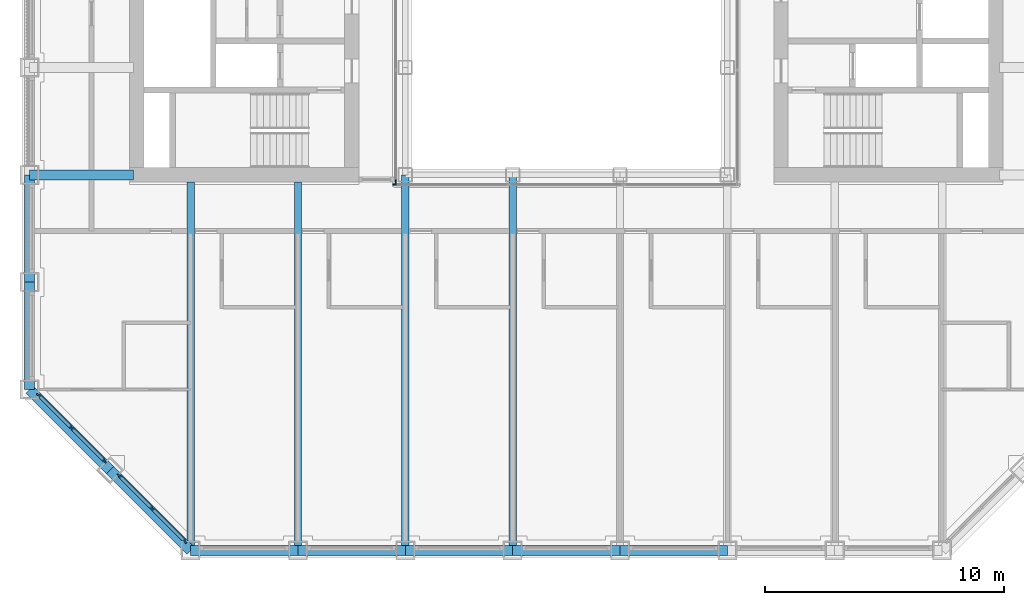
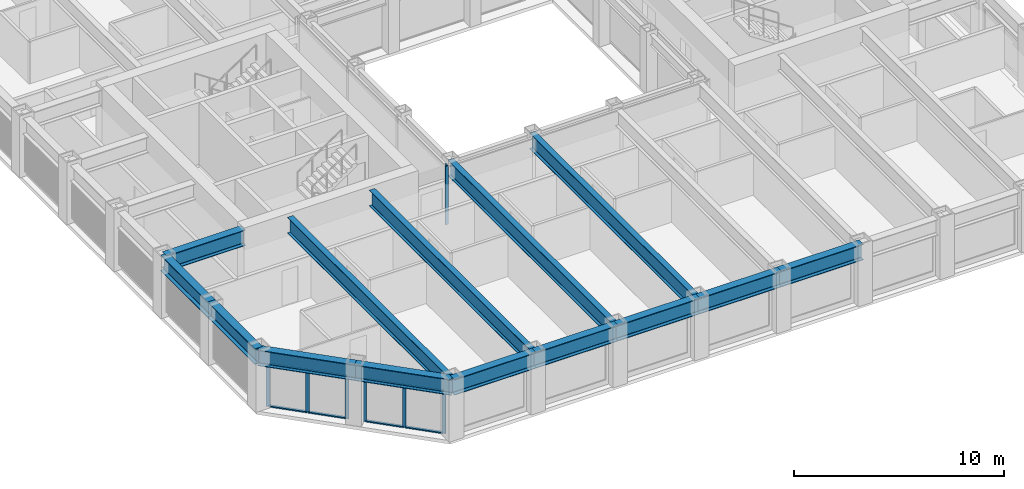
# One storey, part 2 of 18: 16 members, 14 beams, 4 elements without a shape of their own.
"""IFC4 building model written with IfcOpenShell, lengths in metres."""

import ifcopenshell
import ifcopenshell.guid

model = None  # the IFC model being written
_history = None  # IfcOwnerHistory: only IFC2X3 demands one
_inside = {}  # id of a spatial element -> (the spatial element, [elements in it])
_under = {}  # id of a project, library or spatial element -> (it, [spatial elements below it])
_declared = {}  # id of a project -> (the project, [libraries it declares])
_typed = {}  # id of a type object -> (the type object, [elements of that type])
_made_of = {}  # id of a material, layer set ... -> (it, [elements and type objects made of it])


def new_model(schema):
    """Start an empty IFC model of exactly this schema.

    Asked for "IFC4X3", IfcOpenShell would pick the latest addendum, in which some entities
    have other attributes; the version numbers below select the first issue.
    IFC2X3 requires an IfcOwnerHistory on every rooted entity: one is made here for all.
    """
    global model, _history
    if schema == "IFC4X3":
        model = ifcopenshell.file(schema_version=(4, 3, 0, 0))
    else:
        model = ifcopenshell.file(schema=schema)
    _inside.clear()
    _under.clear()
    _declared.clear()
    _typed.clear()
    _made_of.clear()
    _history = None
    if model.schema == "IFC2X3":
        org = make("IfcOrganization", Name="unknown")
        user = make(
            "IfcPersonAndOrganization",
            ThePerson=make("IfcPerson", FamilyName="unknown"),
            TheOrganization=org,
        )
        app = make(
            "IfcApplication",
            ApplicationDeveloper=org,
            Version="unknown",
            ApplicationFullName="unknown",
            ApplicationIdentifier="unknown",
        )
        _history = make(
            "IfcOwnerHistory",
            OwningUser=user,
            OwningApplication=app,
            ChangeAction="ADDED",
            CreationDate=0,
        )
    return model


def make(cls, **values):
    """One entity of the class cls with the attributes given. An attribute that is None is left unset."""
    return model.create_entity(
        cls, **{name: value for name, value in values.items() if value is not None}
    )


def rooted(cls, **values):
    """An entity with a GlobalId (a new one), such as an element, a storey or a relation."""
    return make(cls, GlobalId=ifcopenshell.guid.new(), OwnerHistory=_history, **values)


def si_unit(unit_type, name, prefix=None):
    """IfcSIUnit, for example si_unit("LENGTHUNIT", "METRE", prefix="MILLI")."""
    return make("IfcSIUnit", UnitType=unit_type, Prefix=prefix, Name=name)


def assignment(units):
    """IfcUnitAssignment: the units of a project."""
    return None if units is None else make("IfcUnitAssignment", Units=units)


def point(xyz):
    """IfcCartesianPoint."""
    return None if xyz is None else make("IfcCartesianPoint", Coordinates=xyz)


def direction(xyz):
    """IfcDirection."""
    return None if xyz is None else make("IfcDirection", DirectionRatios=xyz)


def frame(location, z_axis=None, x_axis=None):
    """IfcAxis2Placement3D, a coordinate frame: its origin and axes. An axis left out is left unset."""
    return make(
        "IfcAxis2Placement3D",
        Location=point(location),
        Axis=direction(z_axis),
        RefDirection=direction(x_axis),
    )


def frame_2d(location, x_axis=None):
    """IfcAxis2Placement2D, a coordinate frame in the plane: its origin and x axis."""
    return make(
        "IfcAxis2Placement2D", Location=point(location), RefDirection=direction(x_axis)
    )


def origin():
    """The frame at (0, 0, 0) with its axes left unset."""
    return frame((0.0, 0.0, 0.0))


def origin_2d():
    """The frame at (0, 0) in the plane with its x axis left unset."""
    return frame_2d((0.0, 0.0))


def place(relative_to, where):
    """IfcLocalPlacement: puts the frame where relative to a parent placement (None: the world)."""
    return make(
        "IfcLocalPlacement", PlacementRelTo=relative_to, RelativePlacement=where
    )


def context(
    kind, dimensions, precision=None, world=None, true_north=None, identifier=None
):
    """IfcGeometricRepresentationContext, for example the 3D "Model" context."""
    return make(
        "IfcGeometricRepresentationContext",
        ContextIdentifier=identifier,
        ContextType=kind,
        CoordinateSpaceDimension=dimensions,
        Precision=precision,
        WorldCoordinateSystem=world,
        TrueNorth=true_north,
    )


def subcontext(parent, identifier, kind, view, scale=None):
    """IfcGeometricRepresentationSubContext, for example "Body" below "Model"."""
    return make(
        "IfcGeometricRepresentationSubContext",
        ContextIdentifier=identifier,
        ContextType=kind,
        ParentContext=parent,
        TargetScale=scale,
        TargetView=view,
    )


def project(units=None, contexts=None):
    """IfcProject with its units and contexts."""
    return rooted(
        "IfcProject",
        Name="project",
        RepresentationContexts=contexts,
        UnitsInContext=assignment(units),
    )


def spatial(cls, under=None, at=None, **own):
    """A site, building, storey or space (cls), placed at a placement, below another one or the project."""
    s = rooted(cls, ObjectPlacement=at, **own)
    if under is not None:
        _under.setdefault(under.id(), (under, []))[1].append(s)
    return s


def profile(cls, at=None, kind="AREA", **sizes):
    """A parametric profile (cls). Its sizes go by their IFC names, for example OverallWidth=200.0."""
    return make(cls, ProfileType=kind, Position=at, **sizes)


def rectangle(**sizes):
    """IfcRectangleProfileDef."""
    return profile("IfcRectangleProfileDef", **sizes)


def i_section(**sizes):
    """IfcIShapeProfileDef."""
    return profile("IfcIShapeProfileDef", **sizes)


def extrude(swept, where, along, depth):
    """IfcExtrudedAreaSolid: the profile swept, set in the frame where, extruded along a direction by depth."""
    return make(
        "IfcExtrudedAreaSolid",
        SweptArea=swept,
        Position=where,
        ExtrudedDirection=direction(along),
        Depth=depth,
    )


def shape(context_of_items, identifier, shape_type, items):
    """IfcShapeRepresentation: the items that make up one representation, for example the "Body"."""
    return make(
        "IfcShapeRepresentation",
        ContextOfItems=context_of_items,
        RepresentationIdentifier=identifier,
        RepresentationType=shape_type,
        Items=items,
    )


def material(Name=None, Category=None):
    """IfcMaterial."""
    return make("IfcMaterial", Name=Name, Category=Category)


def material_profile(
    of_material, cross_section, Name=None, Category=None, Priority=None
):
    """IfcMaterialProfile: a cross section and its material."""
    return make(
        "IfcMaterialProfile",
        Name=Name,
        Material=of_material,
        Profile=cross_section,
        Priority=Priority,
        Category=Category,
    )


def profile_set(profiles, Name=None, composite=None):
    """IfcMaterialProfileSet."""
    return make(
        "IfcMaterialProfileSet",
        Name=Name,
        MaterialProfiles=profiles,
        CompositeProfile=composite,
    )


def made_of(thing, what):
    """Note that an element or type object is made of a material, layer set ...; save() writes the relation."""
    if what is not None:
        _made_of.setdefault(what.id(), (what, []))[1].append(thing)
    return thing


def type_object(cls, material=None, **own):
    """A type object (cls), such as IfcWallType, which elements share."""
    return made_of(rooted(cls, **own), material)


def element(
    cls,
    number,
    at=None,
    inside=None,
    cuts=None,
    type_object=None,
    material=None,
    context=None,
    identifier="Body",
    shape_type=None,
    held_by="IfcProductDefinitionShape",
    body=None,
    shapes=None,
    **own,
):
    """One element of the class cls, such as IfcWall. Its Tag is "e" and its number.

    at: its placement. inside: the storey or other place that contains it. cuts: it is an
    opening in that element (IfcRelVoidsElement). A single representation is given by context,
    identifier, shape_type and body (its items); several are given by shapes. held_by: the class
    of the entity that holds the representations. save() writes the other relations.
    """
    e = rooted(cls, Tag="e%d" % number, ObjectPlacement=at, **own)
    if body is not None:
        shapes = [shape(context, identifier, shape_type, body)]
    if shapes is not None:
        e.Representation = make(held_by, Representations=shapes)
    if inside is not None:
        _inside.setdefault(inside.id(), (inside, []))[1].append(e)
    if cuts is not None:
        rooted(
            "IfcRelVoidsElement", RelatingBuildingElement=cuts, RelatedOpeningElement=e
        )
    if type_object is not None:
        _typed.setdefault(type_object.id(), (type_object, []))[1].append(e)
    return made_of(e, material)


def aggregate(whole, parts):
    """IfcRelAggregates: a whole, such as a stair, and the parts it consists of."""
    return rooted("IfcRelAggregates", RelatingObject=whole, RelatedObjects=parts)


def save(model, path):
    """Write the relations noted so far, then the file.

    IfcRelAggregates (storeys below a building ...), IfcRelContainedInSpatialStructure (elements
    in a storey), IfcRelDefinesByType, IfcRelAssociatesMaterial and IfcRelDeclares: one each for
    every whole, place, type object, material and project.
    """
    for whole, parts in _under.values():
        aggregate(whole, parts)
    for where, things in _inside.values():
        rooted(
            "IfcRelContainedInSpatialStructure",
            RelatedElements=things,
            RelatingStructure=where,
        )
    for kind, things in _typed.values():
        rooted("IfcRelDefinesByType", RelatedObjects=things, RelatingType=kind)
    for what, things in _made_of.values():
        rooted("IfcRelAssociatesMaterial", RelatedObjects=things, RelatingMaterial=what)
    for by, libraries in _declared.values():
        rooted("IfcRelDeclares", RelatingContext=by, RelatedDefinitions=libraries)
    model.write(path)


model = new_model("IFC4")

# Units and contexts
model_context = context("Model", 3, precision=1e-05, world=origin(), true_north=direction((0.0, 1.0)))
body_context = subcontext(model_context, "Body", "Model", "MODEL_VIEW")
ifc_project = project(units=[si_unit("LENGTHUNIT", "METRE"), si_unit("AREAUNIT", "SQUARE_METRE"), si_unit("VOLUMEUNIT", "CUBIC_METRE"), si_unit("PLANEANGLEUNIT", "RADIAN"), si_unit("MASSUNIT", "GRAM", prefix="KILO")], contexts=[model_context])

# Site, building, storey
site_placement = place(None, origin())
site = spatial("IfcSite", under=ifc_project, at=site_placement, CompositionType="ELEMENT")
building_placement = place(site_placement, origin())
building = spatial("IfcBuilding", under=site, at=building_placement, Name="Msasa Ring Tower", CompositionType="ELEMENT")
storey_placement = place(building_placement, frame((0.0, 0.0, 125.60009765625)))
storey = spatial("IfcBuildingStorey", under=building, at=storey_placement, Name="L32", CompositionType="ELEMENT", Elevation=125.60009765625)

# Curtain wall, members
ifc_material_1 = material(Name="Aluminium curtain wall with clear glass", Category="aluminium")
curtain_wall_type_1 = type_object("IfcCurtainWallType", Name="CW-C CHAMFER CORNER CURTAIN WALL", PredefinedType="NOTDEFINED", material=ifc_material_1)
curtain_wall_1_placement = place(storey_placement, origin())
curtain_wall_1 = element("IfcCurtainWall", 1, at=curtain_wall_1_placement, inside=storey, type_object=curtain_wall_type_1, Name="Chamfer corner curtain wall SW L32", PredefinedType="NOTDEFINED")
ifc_material_2 = material(Name="Aluminium mullion", Category="aluminium")
ifc_material_profile_1 = material_profile(ifc_material_2, rectangle(XDim=0.06494140625, YDim=0.179931640625, at=origin_2d()), Name="AL 65x180")
ifc_profile_set_1 = profile_set([ifc_material_profile_1], Name="Aluminium mullion")
member_type_1 = type_object("IfcMemberType", Name="CW-C MULLION 65x180", PredefinedType="MULLION", material=ifc_profile_set_1)
member_1_placement = place(storey_placement, frame((-22.119873046875, -15.98876953125, 0.0), z_axis=(0.0, 0.0, 1.0), x_axis=(0.707106781187, 0.707106781187, 0.0)))
member_1 = element("IfcMember", 2, at=member_1_placement, type_object=member_type_1, Name="CW-C mullion 1", PredefinedType="MULLION", context=body_context, shape_type="SweptSolid", body=[
    extrude(rectangle(XDim=0.06494140625, YDim=0.179931640625, at=origin_2d()), origin(), (0.0, 0.0, 1.0), 2.47900390625),
])
member_2_placement = place(storey_placement, frame((-20.74169921875, -17.36669921875, 0.0), z_axis=(0.0, 0.0, 1.0), x_axis=(0.707106781187, 0.707106781187, 0.0)))
member_2 = element("IfcMember", 3, at=member_2_placement, type_object=member_type_1, Name="CW-C mullion 2", PredefinedType="MULLION", context=body_context, shape_type="SweptSolid", body=[
    extrude(rectangle(XDim=0.06494140625, YDim=0.179931640625, at=origin_2d()), origin(), (0.0, 0.0, 1.0), 2.47900390625),
])
member_3_placement = place(storey_placement, frame((-19.36376953125, -18.744873046875, 0.0), z_axis=(0.0, 0.0, 1.0), x_axis=(0.707106781187, 0.707106781187, 0.0)))
member_3 = element("IfcMember", 4, at=member_3_placement, type_object=member_type_1, Name="CW-C mullion 3", PredefinedType="MULLION", context=body_context, shape_type="SweptSolid", body=[
    extrude(rectangle(XDim=0.06494140625, YDim=0.179931640625, at=origin_2d()), origin(), (0.0, 0.0, 1.0), 2.47900390625),
])

curtain_wall_2_placement = place(storey_placement, origin())
curtain_wall_2 = element("IfcCurtainWall", 5, at=curtain_wall_2_placement, inside=storey, type_object=curtain_wall_type_1, Name="Chamfer corner curtain wall SW L32", PredefinedType="NOTDEFINED")
member_4_placement = place(storey_placement, frame((-18.744873046875, -19.36376953125, 0.0), z_axis=(0.0, 0.0, 1.0), x_axis=(0.707106781187, 0.707106781187, 0.0)))
member_4 = element("IfcMember", 6, at=member_4_placement, type_object=member_type_1, Name="CW-C mullion 1", PredefinedType="MULLION", context=body_context, shape_type="SweptSolid", body=[
    extrude(rectangle(XDim=0.06494140625, YDim=0.179931640625, at=origin_2d()), origin(), (0.0, 0.0, 1.0), 2.47900390625),
])
member_5_placement = place(storey_placement, frame((-17.36669921875, -20.74169921875, 0.0), z_axis=(0.0, 0.0, 1.0), x_axis=(0.707106781187, 0.707106781187, 0.0)))
member_5 = element("IfcMember", 7, at=member_5_placement, type_object=member_type_1, Name="CW-C mullion 2", PredefinedType="MULLION", context=body_context, shape_type="SweptSolid", body=[
    extrude(rectangle(XDim=0.06494140625, YDim=0.179931640625, at=origin_2d()), origin(), (0.0, 0.0, 1.0), 2.47900390625),
])
member_6_placement = place(storey_placement, frame((-15.98876953125, -22.119873046875, 0.0), z_axis=(0.0, 0.0, 1.0), x_axis=(0.707106781187, 0.707106781187, 0.0)))
member_6 = element("IfcMember", 8, at=member_6_placement, type_object=member_type_1, Name="CW-C mullion 3", PredefinedType="MULLION", context=body_context, shape_type="SweptSolid", body=[
    extrude(rectangle(XDim=0.06494140625, YDim=0.179931640625, at=origin_2d()), origin(), (0.0, 0.0, 1.0), 2.47900390625),
])

# Member
ifc_material_3 = material(Name="Aluminium transom", Category="aluminium")
ifc_material_profile_2 = material_profile(ifc_material_3, rectangle(XDim=0.139892578125, YDim=0.06494140625, at=origin_2d()), Name="AL 65x140")
ifc_profile_set_2 = profile_set([ifc_material_profile_2], Name="Aluminium transom")
member_type_2 = type_object("IfcMemberType", Name="CW-C TRANSOM 65x140", PredefinedType="USERDEFINED", material=ifc_profile_set_2)
member_7_placement = place(storey_placement, frame((-22.096923828125, -16.01171875, 0.032470703125), z_axis=(0.707106781187, -0.707106781187, 0.0), x_axis=(0.707106781187, 0.707106781187, 0.0)))
member_7 = element("IfcMember", 9, at=member_7_placement, type_object=member_type_2, Name="CW-C transom 1.1", ObjectType="TRANSOM", PredefinedType="USERDEFINED", context=body_context, shape_type="SweptSolid", body=[
    extrude(rectangle(XDim=0.139892578125, YDim=0.06494140625, at=origin_2d()), origin(), (0.0, 0.0, 1.0), 1.8837890625),
])

member_8_placement = place(storey_placement, frame((-22.096923828125, -16.01171875, 2.4462890625), z_axis=(0.707106781187, -0.707106781187, 0.0), x_axis=(0.707106781187, 0.707106781187, 0.0)))
member_8 = element("IfcMember", 10, at=member_8_placement, type_object=member_type_2, Name="CW-C transom 1.2", ObjectType="TRANSOM", PredefinedType="USERDEFINED", context=body_context, shape_type="SweptSolid", body=[
    extrude(rectangle(XDim=0.139892578125, YDim=0.06494140625, at=origin_2d()), origin(), (0.0, 0.0, 1.0), 1.8837890625),
])

member_9_placement = place(storey_placement, frame((-20.71875, -17.389892578125, 0.032470703125), z_axis=(0.707106781187, -0.707106781187, 0.0), x_axis=(0.707106781187, 0.707106781187, 0.0)))
member_9 = element("IfcMember", 11, at=member_9_placement, type_object=member_type_2, Name="CW-C transom 2.1", ObjectType="TRANSOM", PredefinedType="USERDEFINED", context=body_context, shape_type="SweptSolid", body=[
    extrude(rectangle(XDim=0.139892578125, YDim=0.06494140625, at=origin_2d()), origin(), (0.0, 0.0, 1.0), 1.8837890625),
])

member_10_placement = place(storey_placement, frame((-20.71875, -17.389892578125, 2.4462890625), z_axis=(0.707106781187, -0.707106781187, 0.0), x_axis=(0.707106781187, 0.707106781187, 0.0)))
member_10 = element("IfcMember", 12, at=member_10_placement, type_object=member_type_2, Name="CW-C transom 2.2", ObjectType="TRANSOM", PredefinedType="USERDEFINED", context=body_context, shape_type="SweptSolid", body=[
    extrude(rectangle(XDim=0.139892578125, YDim=0.06494140625, at=origin_2d()), origin(), (0.0, 0.0, 1.0), 1.8837890625),
])

aggregate(curtain_wall_1, [member_1, member_2, member_3, member_7, member_8, member_9, member_10])

member_11_placement = place(storey_placement, frame((-18.721923828125, -19.38671875, 0.032470703125), z_axis=(0.707106781187, -0.707106781187, 0.0), x_axis=(0.707106781187, 0.707106781187, 0.0)))
member_11 = element("IfcMember", 13, at=member_11_placement, type_object=member_type_2, Name="CW-C transom 1.1", ObjectType="TRANSOM", PredefinedType="USERDEFINED", context=body_context, shape_type="SweptSolid", body=[
    extrude(rectangle(XDim=0.139892578125, YDim=0.06494140625, at=origin_2d()), origin(), (0.0, 0.0, 1.0), 1.8837890625),
])

member_12_placement = place(storey_placement, frame((-18.721923828125, -19.38671875, 2.4462890625), z_axis=(0.707106781187, -0.707106781187, 0.0), x_axis=(0.707106781187, 0.707106781187, 0.0)))
member_12 = element("IfcMember", 14, at=member_12_placement, type_object=member_type_2, Name="CW-C transom 1.2", ObjectType="TRANSOM", PredefinedType="USERDEFINED", context=body_context, shape_type="SweptSolid", body=[
    extrude(rectangle(XDim=0.139892578125, YDim=0.06494140625, at=origin_2d()), origin(), (0.0, 0.0, 1.0), 1.8837890625),
])

member_13_placement = place(storey_placement, frame((-17.34375, -20.764892578125, 0.032470703125), z_axis=(0.707106781187, -0.707106781187, 0.0), x_axis=(0.707106781187, 0.707106781187, 0.0)))
member_13 = element("IfcMember", 15, at=member_13_placement, type_object=member_type_2, Name="CW-C transom 2.1", ObjectType="TRANSOM", PredefinedType="USERDEFINED", context=body_context, shape_type="SweptSolid", body=[
    extrude(rectangle(XDim=0.139892578125, YDim=0.06494140625, at=origin_2d()), origin(), (0.0, 0.0, 1.0), 1.8837890625),
])

member_14_placement = place(storey_placement, frame((-17.34375, -20.764892578125, 2.4462890625), z_axis=(0.707106781187, -0.707106781187, 0.0), x_axis=(0.707106781187, 0.707106781187, 0.0)))
member_14 = element("IfcMember", 16, at=member_14_placement, type_object=member_type_2, Name="CW-C transom 2.2", ObjectType="TRANSOM", PredefinedType="USERDEFINED", context=body_context, shape_type="SweptSolid", body=[
    extrude(rectangle(XDim=0.139892578125, YDim=0.06494140625, at=origin_2d()), origin(), (0.0, 0.0, 1.0), 1.8837890625),
])

aggregate(curtain_wall_2, [member_4, member_5, member_6, member_11, member_12, member_13, member_14])

# Curtain wall, member
ifc_material_4 = material(Name="Aluminium curtain wall with clear glass", Category="aluminium")
curtain_wall_type_2 = type_object("IfcCurtainWallType", Name="CW-W LIGHT WELL CURTAIN WALL", PredefinedType="NOTDEFINED", material=ifc_material_4)
curtain_wall_3_placement = place(storey_placement, origin())
curtain_wall_3 = element("IfcCurtainWall", 17, at=curtain_wall_3_placement, inside=storey, type_object=curtain_wall_type_2, Name="Light well curtain wall S L32", PredefinedType="NOTDEFINED")
ifc_material_5 = material(Name="Aluminium mullion", Category="aluminium")
ifc_material_profile_3 = material_profile(ifc_material_5, rectangle(XDim=0.06005859375, YDim=0.159912109375, at=origin_2d()), Name="AL 60x160")
ifc_profile_set_3 = profile_set([ifc_material_profile_3], Name="Aluminium mullion")
member_type_3 = type_object("IfcMemberType", Name="CW-W MULLION 60x160", PredefinedType="MULLION", material=ifc_profile_set_3)
member_15_placement = place(storey_placement, frame((-7.199951171875, -7.14990234375, 0.0), z_axis=(0.0, 0.0, 1.0), x_axis=(0.0, 1.0, 0.0)))
member_15 = element("IfcMember", 18, at=member_15_placement, type_object=member_type_3, Name="CW-W mullion 1", PredefinedType="MULLION", context=body_context, shape_type="SweptSolid", body=[
    extrude(rectangle(XDim=0.06005859375, YDim=0.159912109375, at=origin_2d()), origin(), (0.0, 0.0, 1.0), 3.39990234375),
])
aggregate(curtain_wall_3, [member_15])

curtain_wall_4_placement = place(storey_placement, origin())
curtain_wall_4 = element("IfcCurtainWall", 19, at=curtain_wall_4_placement, inside=storey, type_object=curtain_wall_type_2, Name="Light well curtain wall W L32", PredefinedType="NOTDEFINED")
member_16_placement = place(storey_placement, frame((-7.14990234375, -7.0400390625, 0.0), z_axis=(0.0, 0.0, 1.0), x_axis=(-1.0, 0.0, 0.0)))
member_16 = element("IfcMember", 20, at=member_16_placement, type_object=member_type_3, Name="CW-W mullion 1", PredefinedType="MULLION", context=body_context, shape_type="SweptSolid", body=[
    extrude(rectangle(XDim=0.06005859375, YDim=0.159912109375, at=origin_2d()), origin(), (0.0, 0.0, 1.0), 3.39990234375),
])
aggregate(curtain_wall_4, [member_16])

# Beams
ifc_material_6 = material(Name="Steel S355", Category="steel")
ifc_material_profile_4 = material_profile(ifc_material_6, i_section(OverallWidth=0.3076171875, OverallDepth=0.926513671875, WebThickness=0.01953125, FlangeThickness=0.031982421875, FilletRadius=0.01904296875, at=origin_2d()), Name="UB 914x305x289")
ifc_profile_set_4 = profile_set([ifc_material_profile_4], Name="Steel S355")
beam_type_1 = type_object("IfcBeamType", Name="FB3 UB 914x305x289", PredefinedType="BEAM", material=ifc_profile_set_4)
for number, where, z_axis, x_axis, name in (
    (21, (-15.75, -22.5, 2.9365234375), (0.0, 1.0, 0.0), (-1.0, 0.0, 0.0), "Floor beam S-15.75 under L33"),
    (22, (-11.25, -22.5, 2.9365234375), (0.0, 1.0, 0.0), (-1.0, 0.0, 0.0), "Floor beam S-11.25 under L33"),
):
    element("IfcBeam", number, at=place(storey_placement, frame(where, z_axis=z_axis, x_axis=x_axis)), inside=storey, type_object=beam_type_1, Name=name, PredefinedType="BEAM", context=body_context, shape_type="SweptSolid", body=[
        extrude(i_section(OverallWidth=0.3076171875, OverallDepth=0.926513671875, WebThickness=0.01953125, FlangeThickness=0.031982421875, FilletRadius=0.01904296875, at=origin_2d()), origin(), (0.0, 0.0, 1.0), 15.449951171875),
    ])
for number, where, z_axis, x_axis, name in (
    (23, (-6.75, -22.5, 2.9365234375), (0.0, 1.0, 0.0), (-1.0, 0.0, 0.0), "Floor beam S-6.75 under L33"),
    (24, (-2.25, -22.5, 2.9365234375), (0.0, 1.0, 0.0), (-1.0, 0.0, 0.0), "Floor beam S-2.25 under L33"),
):
    element("IfcBeam", number, at=place(storey_placement, frame(where, z_axis=z_axis, x_axis=x_axis)), inside=storey, type_object=beam_type_1, Name=name, PredefinedType="BEAM", context=body_context, shape_type="SweptSolid", body=[
        extrude(i_section(OverallWidth=0.3076171875, OverallDepth=0.926513671875, WebThickness=0.01953125, FlangeThickness=0.031982421875, FilletRadius=0.01904296875, at=origin_2d()), origin(), (0.0, 0.0, 1.0), 15.75),
    ])
ifc_material_7 = material(Name="Steel S355", Category="steel")
ifc_material_profile_5 = material_profile(ifc_material_7, i_section(OverallWidth=0.42041015625, OverallDepth=0.9208984375, WebThickness=0.021484375, FlangeThickness=0.03662109375, FilletRadius=0.024169921875, at=origin_2d()), Name="UB 914x419x388")
ifc_profile_set_5 = profile_set([ifc_material_profile_5], Name="Steel S355")
beam_type_2 = type_object("IfcBeamType", Name="GB1 UB 914x419x388", PredefinedType="BEAM", material=ifc_profile_set_5)
beam_placement = place(storey_placement, frame((-18.14990234375, -6.75, 2.939453125), z_axis=(-1.0, 0.0, 0.0), x_axis=(0.0, -1.0, 0.0)))
element("IfcBeam", 25, at=beam_placement, inside=storey, type_object=beam_type_2, Name="Girder W -6.75 under L33", PredefinedType="BEAM", context=body_context, shape_type="SweptSolid", body=[
    extrude(i_section(OverallWidth=0.42041015625, OverallDepth=0.9208984375, WebThickness=0.021484375, FlangeThickness=0.03662109375, FilletRadius=0.024169921875, at=origin_2d()), origin(), (0.0, 0.0, 1.0), 4.35009765625),
])
ifc_material_8 = material(Name="Steel S355", Category="steel")
ifc_material_profile_6 = material_profile(ifc_material_8, i_section(OverallWidth=0.42041015625, OverallDepth=0.9208984375, WebThickness=0.021484375, FlangeThickness=0.03662109375, FilletRadius=0.024169921875, at=origin_2d()), Name="UB 914x419x388")
ifc_profile_set_6 = profile_set([ifc_material_profile_6], Name="Steel S355")
beam_type_3 = type_object("IfcBeamType", Name="SB1 UB 914x419x388", PredefinedType="SPANDREL", material=ifc_profile_set_6)
for number, where, z_axis, x_axis, name in (
    (26, (-22.5, -6.75, 2.939453125), (0.0, -1.0, 0.0), (1.0, 0.0, 0.0), "Spandrel W-6.75 to W-11.25 under L33"),
    (27, (-22.5, -11.25, 2.939453125), (0.0, -1.0, 0.0), (1.0, 0.0, 0.0), "Spandrel W-11.25 to W-15.75 under L33"),
):
    element("IfcBeam", number, at=place(storey_placement, frame(where, z_axis=z_axis, x_axis=x_axis)), inside=storey, type_object=beam_type_3, Name=name, PredefinedType="SPANDREL", context=body_context, shape_type="SweptSolid", body=[
        extrude(i_section(OverallWidth=0.42041015625, OverallDepth=0.9208984375, WebThickness=0.021484375, FlangeThickness=0.03662109375, FilletRadius=0.024169921875, at=origin_2d()), origin(), (0.0, 0.0, 1.0), 4.5),
    ])
for number, where, z_axis, x_axis, name in (
    (28, (-22.5, -15.75, 2.939453125), (0.707106781187, -0.707106781187, 0.0), (0.707106781187, 0.707106781187, 0.0), "Spandrel W-15.75 to SW under L33"),
    (29, (-19.125, -19.125, 2.939453125), (0.707106781187, -0.707106781187, 0.0), (0.707106781187, 0.707106781187, 0.0), "Spandrel SW to S-15.75 under L33"),
):
    element("IfcBeam", number, at=place(storey_placement, frame(where, z_axis=z_axis, x_axis=x_axis)), inside=storey, type_object=beam_type_3, Name=name, PredefinedType="SPANDREL", context=body_context, shape_type="SweptSolid", body=[
        extrude(i_section(OverallWidth=0.42041015625, OverallDepth=0.9208984375, WebThickness=0.021484375, FlangeThickness=0.03662109375, FilletRadius=0.024169921875, at=origin_2d()), origin(), (0.0, 0.0, 1.0), 4.77294921875),
    ])
for number, where, z_axis, x_axis, name in (
    (30, (-15.75, -22.5, 2.939453125), (1.0, 0.0, 0.0), (0.0, 1.0, 0.0), "Spandrel S-15.75 to S-11.25 under L33"),
    (31, (-11.25, -22.5, 2.939453125), (1.0, 0.0, 0.0), (0.0, 1.0, 0.0), "Spandrel S-11.25 to S-6.75 under L33"),
    (32, (-6.75, -22.5, 2.939453125), (1.0, 0.0, 0.0), (0.0, 1.0, 0.0), "Spandrel S-6.75 to S-2.25 under L33"),
    (33, (-2.25, -22.5, 2.939453125), (1.0, 0.0, 0.0), (0.0, 1.0, 0.0), "Spandrel S-2.25 to S+2.25 under L33"),
    (34, (2.25, -22.5, 2.939453125), (1.0, 0.0, 0.0), (0.0, 1.0, 0.0), "Spandrel S+2.25 to S+6.75 under L33"),
):
    element("IfcBeam", number, at=place(storey_placement, frame(where, z_axis=z_axis, x_axis=x_axis)), inside=storey, type_object=beam_type_3, Name=name, PredefinedType="SPANDREL", context=body_context, shape_type="SweptSolid", body=[
        extrude(i_section(OverallWidth=0.42041015625, OverallDepth=0.9208984375, WebThickness=0.021484375, FlangeThickness=0.03662109375, FilletRadius=0.024169921875, at=origin_2d()), origin(), (0.0, 0.0, 1.0), 4.5),
    ])

save(model, "model.ifc")
